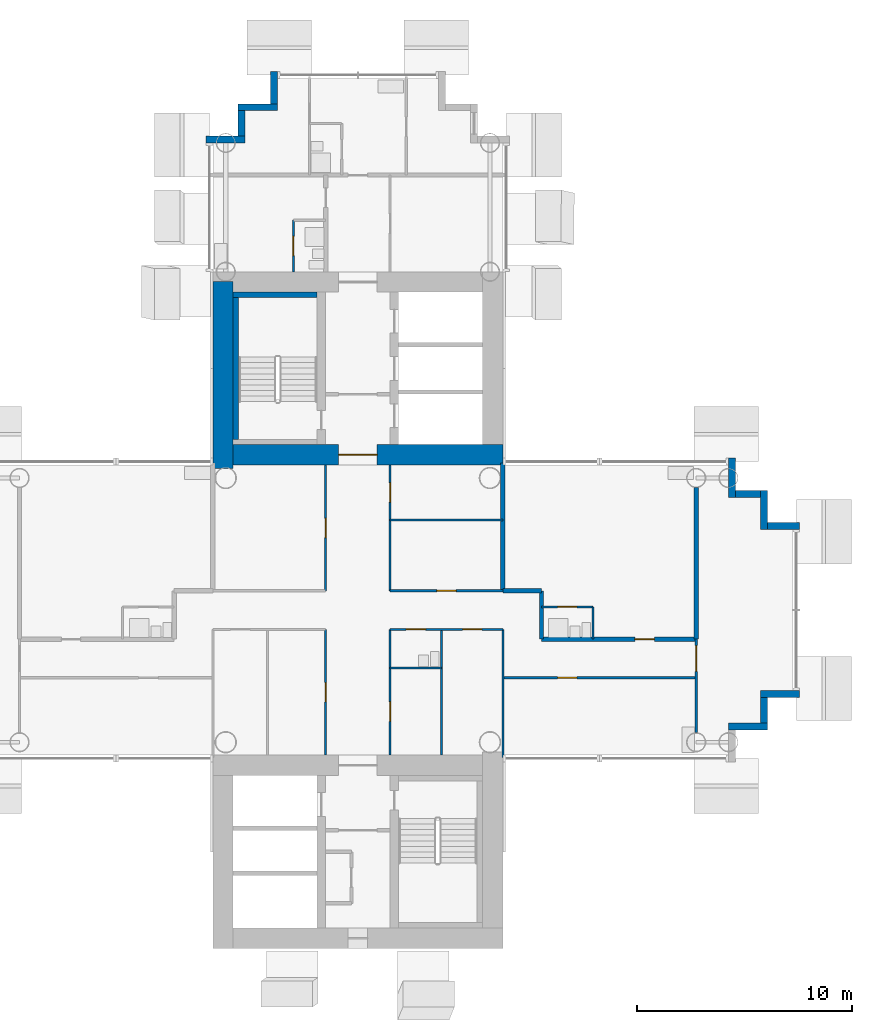
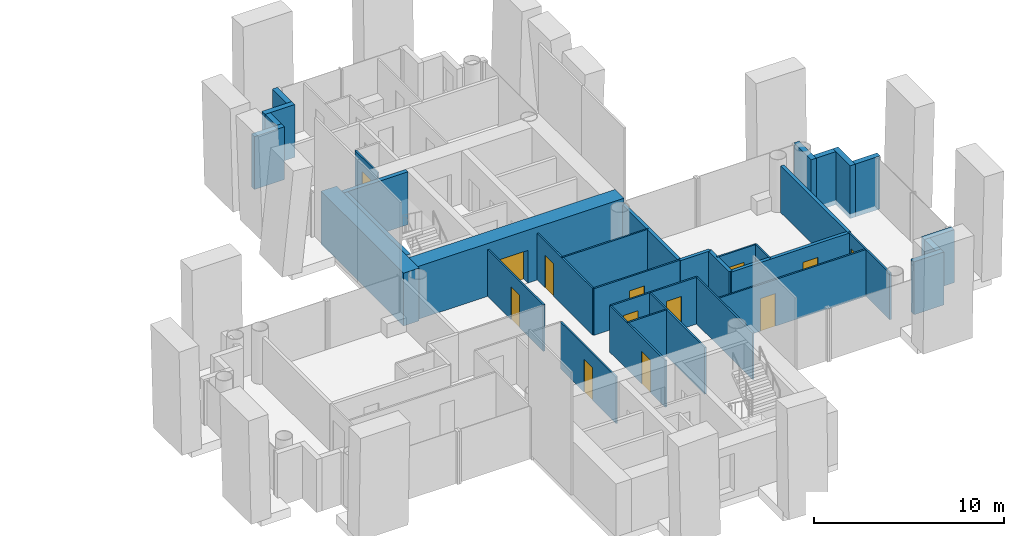
# One storey, part 12 of 20: 35 walls, 13 doors, 13 openings.
"""IFC4 building model written with IfcOpenShell, lengths in metres."""

from ifc_helpers import new_model, si_unit, direction, frame, frame_2d, origin, place, context, subcontext, project, spatial, rectangle, extrude, material, layer, layer_set, type_object, element, fill, save


model = new_model("IFC4")

# Units and contexts
model_context = context("Model", 3, precision=1e-05, world=origin(), true_north=direction((0.0, 1.0)))
body_context = subcontext(model_context, "Body", "Model", "MODEL_VIEW")
ifc_project = project(units=[si_unit("LENGTHUNIT", "METRE"), si_unit("AREAUNIT", "SQUARE_METRE"), si_unit("VOLUMEUNIT", "CUBIC_METRE"), si_unit("PLANEANGLEUNIT", "RADIAN"), si_unit("MASSUNIT", "GRAM", prefix="KILO")], contexts=[model_context])

# Site, building, storey
site_placement = place(None, origin())
site = spatial("IfcSite", under=ifc_project, at=site_placement, CompositionType="ELEMENT")
building_placement = place(site_placement, origin())
building = spatial("IfcBuilding", under=site, at=building_placement, Name="Ipe Terrace Towers", CompositionType="ELEMENT")
storey_placement = place(building_placement, frame((0.0, 0.0, 120.800048828125)))
storey = spatial("IfcBuildingStorey", under=building, at=storey_placement, Name="L33", CompositionType="ELEMENT", Elevation=120.800048828125)

# Walls
ifc_material_1 = material(Name="Concrete C40/50 with buff precast cladding", Category="concrete")
ifc_layer_1 = layer(ifc_material_1, 0.320068359375)
ifc_layer_set_1 = layer_set([ifc_layer_1], Name="BUFF CLADDING WALL 320")
wall_type_1 = type_object("IfcWallType", Name="BUFF CLADDING WALL 320", PredefinedType="STANDARD", material=ifc_layer_set_1)
wall_1_placement = place(storey_placement, frame((53.25, -5.409912109375, -0.300048828125), z_axis=(0.0, 0.0, 1.0), x_axis=(1.0, 0.0, 0.0)))
element("IfcWall", 1, at=wall_1_placement, inside=storey, type_object=wall_type_1, Name="T2-W-L33-05a wall", PredefinedType="STANDARD", context=body_context, shape_type="SweptSolid", body=[
    extrude(rectangle(XDim=1.820068359375, YDim=0.320068359375, at=frame_2d((0.91015625, 0.0))), origin(), (0.0, 0.0, 1.0), 3.39990234375),
])
wall_2_placement = place(storey_placement, frame((54.909912109375, -5.25, -0.300048828125), z_axis=(0.0, 0.0, 1.0), x_axis=(0.0, 1.0, 0.0)))
element("IfcWall", 2, at=wall_2_placement, inside=storey, type_object=wall_type_1, Name="T2-W-L33-06a wall", PredefinedType="STANDARD", context=body_context, shape_type="SweptSolid", body=[
    extrude(rectangle(XDim=1.179931640625, YDim=0.320068359375, at=frame_2d((0.58984375, 0.0))), origin(), (0.0, 0.0, 1.0), 3.39990234375),
])
wall_3_placement = place(storey_placement, frame((54.75, -3.909912109375, -0.300048828125), z_axis=(0.0, 0.0, 1.0), x_axis=(1.0, 0.0, 0.0)))
element("IfcWall", 3, at=wall_3_placement, inside=storey, type_object=wall_type_1, Name="T2-W-L33-07a wall", PredefinedType="STANDARD", context=body_context, shape_type="SweptSolid", body=[
    extrude(rectangle(XDim=1.820068359375, YDim=0.320068359375, at=frame_2d((0.91015625, 0.0))), origin(), (0.0, 0.0, 1.0), 3.39990234375),
])
wall_4_placement = place(storey_placement, frame((56.570068359375, 3.909912109375, -0.300048828125), z_axis=(0.0, 0.0, 1.0), x_axis=(-1.0, 0.0, 0.0)))
element("IfcWall", 4, at=wall_4_placement, inside=storey, type_object=wall_type_1, Name="T2-W-L33-09a wall", PredefinedType="STANDARD", context=body_context, shape_type="SweptSolid", body=[
    extrude(rectangle(XDim=1.5, YDim=0.320068359375, at=frame_2d((0.75, 0.0))), origin(), (0.0, 0.0, 1.0), 3.39990234375),
])
wall_5_placement = place(storey_placement, frame((54.909912109375, 3.75, -0.300048828125), z_axis=(0.0, 0.0, 1.0), x_axis=(0.0, 1.0, 0.0)))
element("IfcWall", 5, at=wall_5_placement, inside=storey, type_object=wall_type_1, Name="T2-W-L33-10a wall", PredefinedType="STANDARD", context=body_context, shape_type="SweptSolid", body=[
    extrude(rectangle(XDim=1.820068359375, YDim=0.320068359375, at=frame_2d((0.91015625, 0.0))), origin(), (0.0, 0.0, 1.0), 3.39990234375),
])
wall_6_placement = place(storey_placement, frame((54.75, 5.409912109375, -0.300048828125), z_axis=(0.0, 0.0, 1.0), x_axis=(-1.0, 0.0, 0.0)))
element("IfcWall", 6, at=wall_6_placement, inside=storey, type_object=wall_type_1, Name="T2-W-L33-11a wall", PredefinedType="STANDARD", context=body_context, shape_type="SweptSolid", body=[
    extrude(rectangle(XDim=1.179931640625, YDim=0.320068359375, at=frame_2d((0.58984375, 0.0))), origin(), (0.0, 0.0, 1.0), 3.39990234375),
])
wall_7_placement = place(storey_placement, frame((53.409912109375, 5.25, -0.300048828125), z_axis=(0.0, 0.0, 1.0), x_axis=(0.0, 1.0, 0.0)))
element("IfcWall", 7, at=wall_7_placement, inside=storey, type_object=wall_type_1, Name="T2-W-L33-12a wall", PredefinedType="STANDARD", context=body_context, shape_type="SweptSolid", body=[
    extrude(rectangle(XDim=1.820068359375, YDim=0.320068359375, at=frame_2d((0.91015625, 0.0))), origin(), (0.0, 0.0, 1.0), 3.39990234375),
])
wall_8_placement = place(storey_placement, frame((32.090087890625, 25.070068359375, -0.300048828125), z_axis=(0.0, 0.0, 1.0), x_axis=(0.0, -1.0, 0.0)))
element("IfcWall", 8, at=wall_8_placement, inside=storey, type_object=wall_type_1, Name="T2-W-L33-22a wall", PredefinedType="STANDARD", context=body_context, shape_type="SweptSolid", body=[
    extrude(rectangle(XDim=1.5, YDim=0.320068359375, at=frame_2d((0.75, 0.0))), origin(), (0.0, 0.0, 1.0), 3.39990234375),
])
wall_9_placement = place(storey_placement, frame((32.25, 23.409912109375, -0.300048828125), z_axis=(0.0, 0.0, 1.0), x_axis=(-1.0, 0.0, 0.0)))
element("IfcWall", 9, at=wall_9_placement, inside=storey, type_object=wall_type_1, Name="T2-W-L33-23a wall", PredefinedType="STANDARD", context=body_context, shape_type="SweptSolid", body=[
    extrude(rectangle(XDim=1.820068359375, YDim=0.320068359375, at=frame_2d((0.91015625, 0.0))), origin(), (0.0, 0.0, 1.0), 3.39990234375),
])
wall_10_placement = place(storey_placement, frame((30.590087890625, 23.25, -0.300048828125), z_axis=(0.0, 0.0, 1.0), x_axis=(0.0, -1.0, 0.0)))
element("IfcWall", 10, at=wall_10_placement, inside=storey, type_object=wall_type_1, Name="T2-W-L33-24a wall", PredefinedType="STANDARD", context=body_context, shape_type="SweptSolid", body=[
    extrude(rectangle(XDim=1.179931640625, YDim=0.320068359375, at=frame_2d((0.58984375, 0.0))), origin(), (0.0, 0.0, 1.0), 3.39990234375),
])
wall_11_placement = place(storey_placement, frame((30.75, 21.909912109375, -0.300048828125), z_axis=(0.0, 0.0, 1.0), x_axis=(-1.0, 0.0, 0.0)))
element("IfcWall", 11, at=wall_11_placement, inside=storey, type_object=wall_type_1, Name="T2-W-L33-25a wall", PredefinedType="STANDARD", context=body_context, shape_type="SweptSolid", body=[
    extrude(rectangle(XDim=1.820068359375, YDim=0.320068359375, at=frame_2d((0.91015625, 0.0))), origin(), (0.0, 0.0, 1.0), 3.39990234375),
])

# Wall, opening, door
ifc_material_2 = material(Name="Gypsum board partition", Category="plasterboard")
ifc_layer_2 = layer(ifc_material_2, 0.10009765625)
ifc_layer_set_2 = layer_set([ifc_layer_2], Name="Gypsum board partition 100 mm")
wall_type_2 = type_object("IfcWallType", Name="Gypsum board partition 100 mm", PredefinedType="PARTITIONING", material=ifc_layer_set_2)
wall_12_placement = place(storey_placement, frame((51.75, -3.14990234375, 0.0), z_axis=(0.0, 0.0, 1.0), x_axis=(-1.0, 0.0, 0.0)))
wall_12 = element("IfcWall", 12, at=wall_12_placement, inside=storey, type_object=wall_type_2, Name="Gypsum board partition T2 L33 W01", PredefinedType="PARTITIONING", context=body_context, shape_type="SweptSolid", body=[
    extrude(rectangle(XDim=9.0, YDim=0.10009765625, at=frame_2d((4.5, 0.0))), origin(), (0.0, 0.0, 1.0), 3.0),
])
opening_1_placement = place(wall_12_placement, frame((5.550048828125, 0.0, 0.0)))
opening_1 = element("IfcOpeningElement", 13, at=opening_1_placement, cuts=wall_12, Name="Opening T2-Z2D-15", PredefinedType="OPENING", context=body_context, shape_type="SweptSolid", body=[
    extrude(rectangle(XDim=0.89990234375, YDim=2.10009765625, at=frame_2d((0.449951171875, 1.050048828125))), frame((0.0, 0.06005859375, 0.0), z_axis=(0.0, -1.0, 0.0), x_axis=(1.0, 0.0, 0.0)), (0.0, 0.0, 1.0), 0.1201171875),
])
ifc_material_3 = material(Name="Timber door leaf", Category="wood")
door_type_1 = type_object("IfcDoorType", Name="Lounge door 900 x 2100", OperationType="NOTDEFINED", PredefinedType="DOOR", material=ifc_material_3)
door_1_placement = place(opening_1_placement, origin())
door_1 = element("IfcDoor", 14, at=door_1_placement, inside=storey, type_object=door_type_1, Name="Lounge door T2-Z2D-15", OperationType="SINGLE_SWING_LEFT", OverallHeight=2.10009765625, OverallWidth=0.89990234375, PredefinedType="DOOR", context=body_context, shape_type="SweptSolid", body=[
    extrude(rectangle(XDim=0.89990234375, YDim=2.10009765625, at=frame_2d((0.449951171875, 1.050048828125))), frame((0.0, 0.02490234375, 0.0), z_axis=(0.0, -1.0, 0.0), x_axis=(1.0, 0.0, 0.0)), (0.0, 0.0, 1.0), 0.050048828125),
])
fill(opening_1, door_1)

# Wall
wall_13_placement = place(storey_placement, frame((39.89990234375, -2.699951171875, 0.0), z_axis=(0.0, 0.0, 1.0), x_axis=(-1.0, 0.0, 0.0)))
element("IfcWall", 15, at=wall_13_placement, inside=storey, type_object=wall_type_2, Name="Gypsum board partition T2 L33 W03", PredefinedType="PARTITIONING", context=body_context, shape_type="SweptSolid", body=[
    extrude(rectangle(XDim=2.39990234375, YDim=0.10009765625, at=frame_2d((1.199951171875, 0.0))), origin(), (0.0, 0.0, 1.0), 3.0),
])

# Wall, openings, doors
wall_14_placement = place(storey_placement, frame((42.75, -0.89990234375, 0.0), z_axis=(0.0, 0.0, 1.0), x_axis=(-1.0, 0.0, 0.0)))
wall_14 = element("IfcWall", 16, at=wall_14_placement, inside=storey, type_object=wall_type_2, Name="Gypsum board partition T2 L33 W06", PredefinedType="PARTITIONING", context=body_context, shape_type="SweptSolid", body=[
    extrude(rectangle(XDim=5.25, YDim=0.10009765625, at=frame_2d((2.625, 0.0))), origin(), (0.0, 0.0, 1.0), 3.0),
])
opening_2_placement = place(wall_14_placement, frame((3.60009765625, 0.0, 0.0)))
opening_2 = element("IfcOpeningElement", 17, at=opening_2_placement, cuts=wall_14, Name="Opening T2-Z2D-01", PredefinedType="OPENING", context=body_context, shape_type="SweptSolid", body=[
    extrude(rectangle(XDim=0.89990234375, YDim=2.10009765625, at=frame_2d((0.449951171875, 1.050048828125))), frame((0.0, 0.06005859375, 0.0), z_axis=(0.0, -1.0, 0.0), x_axis=(1.0, 0.0, 0.0)), (0.0, 0.0, 1.0), 0.1201171875),
])
opening_3_placement = place(wall_14_placement, frame((0.97509765625, 0.0, 0.0)))
opening_3 = element("IfcOpeningElement", 18, at=opening_3_placement, cuts=wall_14, Name="Opening T2-Z2D-06", PredefinedType="OPENING", context=body_context, shape_type="SweptSolid", body=[
    extrude(rectangle(XDim=0.89990234375, YDim=2.10009765625, at=frame_2d((0.449951171875, 1.050048828125))), frame((0.0, 0.06005859375, 0.0), z_axis=(0.0, -1.0, 0.0), x_axis=(1.0, 0.0, 0.0)), (0.0, 0.0, 1.0), 0.1201171875),
])
ifc_material_4 = material(Name="Timber door leaf", Category="wood")
door_type_2 = type_object("IfcDoorType", Name="Bathroom door 900 x 2100", OperationType="NOTDEFINED", PredefinedType="DOOR", material=ifc_material_4)
door_2_placement = place(opening_2_placement, origin())
door_2 = element("IfcDoor", 19, at=door_2_placement, inside=storey, type_object=door_type_2, Name="Bathroom door T2-Z2D-01", OperationType="SINGLE_SWING_LEFT", OverallHeight=2.10009765625, OverallWidth=0.89990234375, PredefinedType="DOOR", context=body_context, shape_type="SweptSolid", body=[
    extrude(rectangle(XDim=0.89990234375, YDim=2.10009765625, at=frame_2d((0.449951171875, 1.050048828125))), frame((0.0, 0.02490234375, 0.0), z_axis=(0.0, -1.0, 0.0), x_axis=(1.0, 0.0, 0.0)), (0.0, 0.0, 1.0), 0.050048828125),
])
fill(opening_2, door_2)
door_3_placement = place(opening_3_placement, origin())
door_3 = element("IfcDoor", 20, at=door_3_placement, inside=storey, type_object=door_type_1, Name="Lounge door T2-Z2D-06", OperationType="SINGLE_SWING_RIGHT", OverallHeight=2.10009765625, OverallWidth=0.89990234375, PredefinedType="DOOR", context=body_context, shape_type="SweptSolid", body=[
    extrude(rectangle(XDim=0.89990234375, YDim=2.10009765625, at=frame_2d((0.449951171875, 1.050048828125))), frame((0.0, 0.02490234375, 0.0), z_axis=(0.0, -1.0, 0.0), x_axis=(1.0, 0.0, 0.0)), (0.0, 0.0, 1.0), 0.050048828125),
])
fill(opening_3, door_3)

# Wall, opening, door
wall_15_placement = place(storey_placement, frame((46.949951171875, 0.14990234375, 0.0), z_axis=(0.0, 0.0, 1.0), x_axis=(-1.0, 0.0, 0.0)))
wall_15 = element("IfcWall", 21, at=wall_15_placement, inside=storey, type_object=wall_type_2, Name="Gypsum board partition T2 L33 W08", PredefinedType="PARTITIONING", context=body_context, shape_type="SweptSolid", body=[
    extrude(rectangle(XDim=2.39990234375, YDim=0.10009765625, at=frame_2d((1.199951171875, 0.0))), origin(), (0.0, 0.0, 1.0), 3.0),
])
opening_4_placement = place(wall_15_placement, frame((0.75, 0.0, 0.0)))
opening_4 = element("IfcOpeningElement", 22, at=opening_4_placement, cuts=wall_15, Name="Opening T2-Z2D-14", PredefinedType="OPENING", context=body_context, shape_type="SweptSolid", body=[
    extrude(rectangle(XDim=0.89990234375, YDim=2.10009765625, at=frame_2d((0.449951171875, 1.050048828125))), frame((0.0, 0.06005859375, 0.0), z_axis=(0.0, -1.0, 0.0), x_axis=(1.0, 0.0, 0.0)), (0.0, 0.0, 1.0), 0.1201171875),
])
door_4_placement = place(opening_4_placement, origin())
door_4 = element("IfcDoor", 23, at=door_4_placement, inside=storey, type_object=door_type_2, Name="Bathroom door T2-Z2D-14", OperationType="SINGLE_SWING_LEFT", OverallHeight=2.10009765625, OverallWidth=0.89990234375, PredefinedType="DOOR", context=body_context, shape_type="SweptSolid", body=[
    extrude(rectangle(XDim=0.89990234375, YDim=2.10009765625, at=frame_2d((0.449951171875, 1.050048828125))), frame((0.0, 0.02490234375, 0.0), z_axis=(0.0, -1.0, 0.0), x_axis=(1.0, 0.0, 0.0)), (0.0, 0.0, 1.0), 0.050048828125),
])
fill(opening_4, door_4)

wall_16_placement = place(storey_placement, frame((42.75, 0.89990234375, 0.0), z_axis=(0.0, 0.0, 1.0), x_axis=(-1.0, 0.0, 0.0)))
wall_16 = element("IfcWall", 24, at=wall_16_placement, inside=storey, type_object=wall_type_2, Name="Gypsum board partition T2 L33 W10", PredefinedType="PARTITIONING", context=body_context, shape_type="SweptSolid", body=[
    extrude(rectangle(XDim=5.25, YDim=0.10009765625, at=frame_2d((2.625, 0.0))), origin(), (0.0, 0.0, 1.0), 3.0),
])
opening_5_placement = place(wall_16_placement, frame((2.175048828125, 0.0, 0.0)))
opening_5 = element("IfcOpeningElement", 25, at=opening_5_placement, cuts=wall_16, Name="Opening T2-Z2D-07", PredefinedType="OPENING", context=body_context, shape_type="SweptSolid", body=[
    extrude(rectangle(XDim=0.89990234375, YDim=2.10009765625, at=frame_2d((0.449951171875, 1.050048828125))), frame((0.0, 0.06005859375, 0.0), z_axis=(0.0, -1.0, 0.0), x_axis=(1.0, 0.0, 0.0)), (0.0, 0.0, 1.0), 0.1201171875),
])
door_5_placement = place(opening_5_placement, origin())
door_5 = element("IfcDoor", 26, at=door_5_placement, inside=storey, type_object=door_type_1, Name="Lounge door T2-Z2D-07", OperationType="SINGLE_SWING_RIGHT", OverallHeight=2.10009765625, OverallWidth=0.89990234375, PredefinedType="DOOR", context=body_context, shape_type="SweptSolid", body=[
    extrude(rectangle(XDim=0.89990234375, YDim=2.10009765625, at=frame_2d((0.449951171875, 1.050048828125))), frame((0.0, 0.02490234375, 0.0), z_axis=(0.0, -1.0, 0.0), x_axis=(1.0, 0.0, 0.0)), (0.0, 0.0, 1.0), 0.050048828125),
])
fill(opening_5, door_5)

# Wall
wall_17_placement = place(storey_placement, frame((42.75, 4.199951171875, 0.0), z_axis=(0.0, 0.0, 1.0), x_axis=(-1.0, 0.0, 0.0)))
element("IfcWall", 27, at=wall_17_placement, inside=storey, type_object=wall_type_2, Name="Gypsum board partition T2 L33 W14", PredefinedType="PARTITIONING", context=body_context, shape_type="SweptSolid", body=[
    extrude(rectangle(XDim=5.25, YDim=0.10009765625, at=frame_2d((2.625, 0.0))), origin(), (0.0, 0.0, 1.0), 3.0),
])

# Wall, opening, door
wall_18_placement = place(storey_placement, frame((51.75, -5.699951171875, 0.0), z_axis=(0.0, 0.0, 1.0), x_axis=(0.0, 1.0, 0.0)))
wall_18 = element("IfcWall", 28, at=wall_18_placement, inside=storey, type_object=wall_type_2, Name="Gypsum board partition T2 L33 W18", PredefinedType="PARTITIONING", context=body_context, shape_type="SweptSolid", body=[
    extrude(rectangle(XDim=4.349853515625, YDim=0.10009765625, at=frame_2d((2.1748046875, 0.0))), origin(), (0.0, 0.0, 1.0), 3.0),
])
opening_6_placement = place(wall_18_placement, frame((2.85009765625, 0.0, 0.0)))
opening_6 = element("IfcOpeningElement", 29, at=opening_6_placement, cuts=wall_18, Name="Opening T2-Z2D-16", PredefinedType="OPENING", context=body_context, shape_type="SweptSolid", body=[
    extrude(rectangle(XDim=1.199951171875, YDim=2.10009765625, at=frame_2d((0.60009765625, 1.050048828125))), frame((0.0, 0.06005859375, 0.0), z_axis=(0.0, -1.0, 0.0), x_axis=(1.0, 0.0, 0.0)), (0.0, 0.0, 1.0), 0.1201171875),
])
ifc_material_5 = material(Name="Timber door leaf", Category="wood")
door_type_3 = type_object("IfcDoorType", Name="Lounge door 1200 x 2100", OperationType="NOTDEFINED", PredefinedType="DOOR", material=ifc_material_5)
door_6_placement = place(opening_6_placement, origin())
door_6 = element("IfcDoor", 30, at=door_6_placement, inside=storey, type_object=door_type_3, Name="Lounge door T2-Z2D-16", OperationType="SINGLE_SWING_RIGHT", OverallHeight=2.10009765625, OverallWidth=1.199951171875, PredefinedType="DOOR", context=body_context, shape_type="SweptSolid", body=[
    extrude(rectangle(XDim=1.199951171875, YDim=2.10009765625, at=frame_2d((0.60009765625, 1.050048828125))), frame((0.0, 0.02490234375, 0.0), z_axis=(0.0, -1.0, 0.0), x_axis=(1.0, 0.0, 0.0)), (0.0, 0.0, 1.0), 0.050048828125),
])
fill(opening_6, door_6)

# Walls
wall_19_placement = place(storey_placement, frame((46.949951171875, -1.35009765625, 0.0), z_axis=(0.0, 0.0, 1.0), x_axis=(0.0, 1.0, 0.0)))
element("IfcWall", 31, at=wall_19_placement, inside=storey, type_object=wall_type_2, Name="Gypsum board partition T2 L33 W20", PredefinedType="PARTITIONING", context=body_context, shape_type="SweptSolid", body=[
    extrude(rectangle(XDim=1.5, YDim=0.10009765625, at=frame_2d((0.75, 0.0))), origin(), (0.0, 0.0, 1.0), 3.0),
])
wall_20_placement = place(storey_placement, frame((42.75, -6.85009765625, 0.0), z_axis=(0.0, 0.0, 1.0), x_axis=(0.0, 1.0, 0.0)))
element("IfcWall", 32, at=wall_20_placement, inside=storey, type_object=wall_type_2, Name="Gypsum board partition T2 L33 W22", PredefinedType="PARTITIONING", context=body_context, shape_type="SweptSolid", body=[
    extrude(rectangle(XDim=5.9501953125, YDim=0.10009765625, at=frame_2d((2.97509765625, 0.0))), origin(), (0.0, 0.0, 1.0), 3.0),
])
wall_21_placement = place(storey_placement, frame((39.89990234375, -6.75, 0.0), z_axis=(0.0, 0.0, 1.0), x_axis=(0.0, 1.0, 0.0)))
element("IfcWall", 33, at=wall_21_placement, inside=storey, type_object=wall_type_2, Name="Gypsum board partition T2 L33 W24", PredefinedType="PARTITIONING", context=body_context, shape_type="SweptSolid", body=[
    extrude(rectangle(XDim=5.85009765625, YDim=0.10009765625, at=frame_2d((2.925048828125, 0.0))), origin(), (0.0, 0.0, 1.0), 3.0),
])

# Wall, opening, door
wall_22_placement = place(storey_placement, frame((37.5, -6.75, 0.0), z_axis=(0.0, 0.0, 1.0), x_axis=(0.0, 1.0, 0.0)))
wall_22 = element("IfcWall", 34, at=wall_22_placement, inside=storey, type_object=wall_type_2, Name="Gypsum board partition T2 L33 W26", PredefinedType="PARTITIONING", context=body_context, shape_type="SweptSolid", body=[
    extrude(rectangle(XDim=5.85009765625, YDim=0.10009765625, at=frame_2d((2.925048828125, 0.0))), origin(), (0.0, 0.0, 1.0), 3.0),
])
opening_7_placement = place(wall_22_placement, frame((1.574951171875, 0.0, 0.0)))
opening_7 = element("IfcOpeningElement", 35, at=opening_7_placement, cuts=wall_22, Name="Opening T2-Z2D-05", PredefinedType="OPENING", context=body_context, shape_type="SweptSolid", body=[
    extrude(rectangle(XDim=0.89990234375, YDim=2.10009765625, at=frame_2d((0.449951171875, 1.050048828125))), frame((0.0, 0.06005859375, 0.0), z_axis=(0.0, -1.0, 0.0), x_axis=(1.0, 0.0, 0.0)), (0.0, 0.0, 1.0), 0.1201171875),
])
door_7_placement = place(opening_7_placement, origin())
door_7 = element("IfcDoor", 36, at=door_7_placement, inside=storey, type_object=door_type_1, Name="Lounge door T2-Z2D-05", OperationType="SINGLE_SWING_LEFT", OverallHeight=2.10009765625, OverallWidth=0.89990234375, PredefinedType="DOOR", context=body_context, shape_type="SweptSolid", body=[
    extrude(rectangle(XDim=0.89990234375, YDim=2.10009765625, at=frame_2d((0.449951171875, 1.050048828125))), frame((0.0, 0.02490234375, 0.0), z_axis=(0.0, -1.0, 0.0), x_axis=(1.0, 0.0, 0.0)), (0.0, 0.0, 1.0), 0.050048828125),
])
fill(opening_7, door_7)

wall_23_placement = place(storey_placement, frame((37.5, 0.89990234375, 0.0), z_axis=(0.0, 0.0, 1.0), x_axis=(0.0, 1.0, 0.0)))
wall_23 = element("IfcWall", 37, at=wall_23_placement, inside=storey, type_object=wall_type_2, Name="Gypsum board partition T2 L33 W27", PredefinedType="PARTITIONING", context=body_context, shape_type="SweptSolid", body=[
    extrude(rectangle(XDim=5.85009765625, YDim=0.10009765625, at=frame_2d((2.925048828125, 0.0))), origin(), (0.0, 0.0, 1.0), 3.0),
])
opening_8_placement = place(wall_23_placement, frame((4.125, 0.0, 0.0)))
opening_8 = element("IfcOpeningElement", 38, at=opening_8_placement, cuts=wall_23, Name="Opening T2-Z2D-08", PredefinedType="OPENING", context=body_context, shape_type="SweptSolid", body=[
    extrude(rectangle(XDim=0.89990234375, YDim=2.10009765625, at=frame_2d((0.449951171875, 1.050048828125))), frame((0.0, 0.06005859375, 0.0), z_axis=(0.0, -1.0, 0.0), x_axis=(1.0, 0.0, 0.0)), (0.0, 0.0, 1.0), 0.1201171875),
])
door_8_placement = place(opening_8_placement, origin())
door_8 = element("IfcDoor", 39, at=door_8_placement, inside=storey, type_object=door_type_1, Name="Lounge door T2-Z2D-08", OperationType="SINGLE_SWING_RIGHT", OverallHeight=2.10009765625, OverallWidth=0.89990234375, PredefinedType="DOOR", context=body_context, shape_type="SweptSolid", body=[
    extrude(rectangle(XDim=0.89990234375, YDim=2.10009765625, at=frame_2d((0.449951171875, 1.050048828125))), frame((0.0, 0.02490234375, 0.0), z_axis=(0.0, -1.0, 0.0), x_axis=(1.0, 0.0, 0.0)), (0.0, 0.0, 1.0), 0.050048828125),
])
fill(opening_8, door_8)

wall_24_placement = place(storey_placement, frame((34.5, -6.75, 0.0), z_axis=(0.0, 0.0, 1.0), x_axis=(0.0, 1.0, 0.0)))
wall_24 = element("IfcWall", 40, at=wall_24_placement, inside=storey, type_object=wall_type_2, Name="Gypsum board partition T2 L33 W30", PredefinedType="PARTITIONING", context=body_context, shape_type="SweptSolid", body=[
    extrude(rectangle(XDim=5.85009765625, YDim=0.10009765625, at=frame_2d((2.925048828125, 0.0))), origin(), (0.0, 0.0, 1.0), 3.0),
])
opening_9_placement = place(wall_24_placement, frame((2.47509765625, 0.0, 0.0)))
opening_9 = element("IfcOpeningElement", 41, at=opening_9_placement, cuts=wall_24, Name="Opening T2-Z2D-03", PredefinedType="OPENING", context=body_context, shape_type="SweptSolid", body=[
    extrude(rectangle(XDim=0.89990234375, YDim=2.10009765625, at=frame_2d((0.449951171875, 1.050048828125))), frame((0.0, 0.06005859375, 0.0), z_axis=(0.0, -1.0, 0.0), x_axis=(1.0, 0.0, 0.0)), (0.0, 0.0, 1.0), 0.1201171875),
])
door_9_placement = place(opening_9_placement, origin())
door_9 = element("IfcDoor", 42, at=door_9_placement, inside=storey, type_object=door_type_1, Name="Lounge door T2-Z2D-03", OperationType="SINGLE_SWING_RIGHT", OverallHeight=2.10009765625, OverallWidth=0.89990234375, PredefinedType="DOOR", context=body_context, shape_type="SweptSolid", body=[
    extrude(rectangle(XDim=0.89990234375, YDim=2.10009765625, at=frame_2d((0.449951171875, 1.050048828125))), frame((0.0, 0.02490234375, 0.0), z_axis=(0.0, -1.0, 0.0), x_axis=(1.0, 0.0, 0.0)), (0.0, 0.0, 1.0), 0.050048828125),
])
fill(opening_9, door_9)

wall_25_placement = place(storey_placement, frame((34.5, 0.89990234375, 0.0), z_axis=(0.0, 0.0, 1.0), x_axis=(0.0, 1.0, 0.0)))
wall_25 = element("IfcWall", 43, at=wall_25_placement, inside=storey, type_object=wall_type_2, Name="Gypsum board partition T2 L33 W31", PredefinedType="PARTITIONING", context=body_context, shape_type="SweptSolid", body=[
    extrude(rectangle(XDim=5.85009765625, YDim=0.10009765625, at=frame_2d((2.925048828125, 0.0))), origin(), (0.0, 0.0, 1.0), 3.0),
])
opening_10_placement = place(wall_25_placement, frame((2.47509765625, 0.0, 0.0)))
opening_10 = element("IfcOpeningElement", 44, at=opening_10_placement, cuts=wall_25, Name="Opening T2-Z2D-02", PredefinedType="OPENING", context=body_context, shape_type="SweptSolid", body=[
    extrude(rectangle(XDim=0.89990234375, YDim=2.10009765625, at=frame_2d((0.449951171875, 1.050048828125))), frame((0.0, 0.06005859375, 0.0), z_axis=(0.0, -1.0, 0.0), x_axis=(1.0, 0.0, 0.0)), (0.0, 0.0, 1.0), 0.1201171875),
])
door_10_placement = place(opening_10_placement, origin())
door_10 = element("IfcDoor", 45, at=door_10_placement, inside=storey, type_object=door_type_1, Name="Lounge door T2-Z2D-02", OperationType="SINGLE_SWING_LEFT", OverallHeight=2.10009765625, OverallWidth=0.89990234375, PredefinedType="DOOR", context=body_context, shape_type="SweptSolid", body=[
    extrude(rectangle(XDim=0.89990234375, YDim=2.10009765625, at=frame_2d((0.449951171875, 1.050048828125))), frame((0.0, 0.02490234375, 0.0), z_axis=(0.0, -1.0, 0.0), x_axis=(1.0, 0.0, 0.0)), (0.0, 0.0, 1.0), 0.050048828125),
])
fill(opening_10, door_10)

wall_26_placement = place(storey_placement, frame((33.0, 15.75, 0.0), z_axis=(0.0, 0.0, 1.0), x_axis=(0.0, 1.0, 0.0)))
wall_26 = element("IfcWall", 46, at=wall_26_placement, inside=storey, type_object=wall_type_2, Name="Gypsum board partition T2 L33 W34", PredefinedType="PARTITIONING", context=body_context, shape_type="SweptSolid", body=[
    extrude(rectangle(XDim=2.39990234375, YDim=0.10009765625, at=frame_2d((1.199951171875, 0.0))), origin(), (0.0, 0.0, 1.0), 3.0),
])
opening_11_placement = place(wall_26_placement, frame((0.75, 0.0, 0.0)))
opening_11 = element("IfcOpeningElement", 47, at=opening_11_placement, cuts=wall_26, Name="Opening T2-Z2D-18", PredefinedType="OPENING", context=body_context, shape_type="SweptSolid", body=[
    extrude(rectangle(XDim=0.89990234375, YDim=2.10009765625, at=frame_2d((0.449951171875, 1.050048828125))), frame((0.0, 0.06005859375, 0.0), z_axis=(0.0, -1.0, 0.0), x_axis=(1.0, 0.0, 0.0)), (0.0, 0.0, 1.0), 0.1201171875),
])
door_11_placement = place(opening_11_placement, origin())
door_11 = element("IfcDoor", 48, at=door_11_placement, inside=storey, type_object=door_type_2, Name="Bathroom door T2-Z2D-18", OperationType="SINGLE_SWING_RIGHT", OverallHeight=2.10009765625, OverallWidth=0.89990234375, PredefinedType="DOOR", context=body_context, shape_type="SweptSolid", body=[
    extrude(rectangle(XDim=0.89990234375, YDim=2.10009765625, at=frame_2d((0.449951171875, 1.050048828125))), frame((0.0, 0.02490234375, 0.0), z_axis=(0.0, -1.0, 0.0), x_axis=(1.0, 0.0, 0.0)), (0.0, 0.0, 1.0), 0.050048828125),
])
fill(opening_11, door_11)

ifc_material_6 = material(Name="Gypsum board party wall", Category="plasterboard")
ifc_layer_3 = layer(ifc_material_6, 0.199951171875)
ifc_layer_set_3 = layer_set([ifc_layer_3], Name="Gypsum board party wall 200 mm")
wall_type_3 = type_object("IfcWallType", Name="Gypsum board party wall 200 mm", PredefinedType="SOLIDWALL", material=ifc_layer_set_3)
wall_27_placement = place(storey_placement, frame((51.75, -1.35009765625, 0.0), z_axis=(0.0, 0.0, 1.0), x_axis=(-1.0, 0.0, 0.0)))
wall_27 = element("IfcWall", 49, at=wall_27_placement, inside=storey, type_object=wall_type_3, Name="Gypsum board party wall T2 L33 W04", PredefinedType="SOLIDWALL", context=body_context, shape_type="SweptSolid", body=[
    extrude(rectangle(XDim=7.199951171875, YDim=0.199951171875, at=frame_2d((3.60009765625, 0.0))), origin(), (0.0, 0.0, 1.0), 3.0),
])
opening_12_placement = place(wall_27_placement, frame((1.949951171875, 0.0, 0.0)))
opening_12 = element("IfcOpeningElement", 50, at=opening_12_placement, cuts=wall_27, Name="Opening T2-Z2D-13", PredefinedType="OPENING", context=body_context, shape_type="SweptSolid", body=[
    extrude(rectangle(XDim=0.89990234375, YDim=2.10009765625, at=frame_2d((0.449951171875, 1.050048828125))), frame((0.0, 0.10986328125, 0.0), z_axis=(0.0, -1.0, 0.0), x_axis=(1.0, 0.0, 0.0)), (0.0, 0.0, 1.0), 0.219970703125),
])
ifc_material_7 = material(Name="Fire-rated timber door leaf", Category="wood")
door_type_4 = type_object("IfcDoorType", Name="Flat entrance door 900 x 2100 FD30S", OperationType="NOTDEFINED", PredefinedType="DOOR", material=ifc_material_7)
door_12_placement = place(opening_12_placement, origin())
door_12 = element("IfcDoor", 51, at=door_12_placement, inside=storey, type_object=door_type_4, Name="Flat entrance door T2-Z2D-13", OperationType="SINGLE_SWING_LEFT", OverallHeight=2.10009765625, OverallWidth=0.89990234375, PredefinedType="DOOR", context=body_context, shape_type="SweptSolid", body=[
    extrude(rectangle(XDim=0.89990234375, YDim=2.10009765625, at=frame_2d((0.449951171875, 1.050048828125))), frame((0.0, 0.02490234375, 0.0), z_axis=(0.0, -1.0, 0.0), x_axis=(1.0, 0.0, 0.0)), (0.0, 0.0, 1.0), 0.050048828125),
])
fill(opening_12, door_12)

# Walls
wall_28_placement = place(storey_placement, frame((44.550048828125, 0.89990234375, 0.0), z_axis=(0.0, 0.0, 1.0), x_axis=(-1.0, 0.0, 0.0)))
element("IfcWall", 52, at=wall_28_placement, inside=storey, type_object=wall_type_3, Name="Gypsum board party wall T2 L33 W12", PredefinedType="SOLIDWALL", context=body_context, shape_type="SweptSolid", body=[
    extrude(rectangle(XDim=1.800048828125, YDim=0.199951171875, at=frame_2d((0.89990234375, 0.0))), origin(), (0.0, 0.0, 1.0), 3.0),
])
wall_29_placement = place(storey_placement, frame((51.75, -1.35009765625, 0.0), z_axis=(0.0, 0.0, 1.0), x_axis=(0.0, 1.0, 0.0)))
element("IfcWall", 53, at=wall_29_placement, inside=storey, type_object=wall_type_3, Name="Gypsum board party wall T2 L33 W19", PredefinedType="SOLIDWALL", context=body_context, shape_type="SweptSolid", body=[
    extrude(rectangle(XDim=7.050048828125, YDim=0.199951171875, at=frame_2d((3.52490234375, 0.0))), origin(), (0.0, 0.0, 1.0), 3.0),
])
wall_30_placement = place(storey_placement, frame((44.550048828125, -1.35009765625, 0.0), z_axis=(0.0, 0.0, 1.0), x_axis=(0.0, 1.0, 0.0)))
element("IfcWall", 54, at=wall_30_placement, inside=storey, type_object=wall_type_3, Name="Gypsum board party wall T2 L33 W21", PredefinedType="SOLIDWALL", context=body_context, shape_type="SweptSolid", body=[
    extrude(rectangle(XDim=2.25, YDim=0.199951171875, at=frame_2d((1.125, 0.0))), origin(), (0.0, 0.0, 1.0), 3.0),
])
wall_31_placement = place(storey_placement, frame((42.75, 0.89990234375, 0.0), z_axis=(0.0, 0.0, 1.0), x_axis=(0.0, 1.0, 0.0)))
element("IfcWall", 55, at=wall_31_placement, inside=storey, type_object=wall_type_3, Name="Gypsum board party wall T2 L33 W23", PredefinedType="SOLIDWALL", context=body_context, shape_type="SweptSolid", body=[
    extrude(rectangle(XDim=5.9501953125, YDim=0.199951171875, at=frame_2d((2.97509765625, 0.0))), origin(), (0.0, 0.0, 1.0), 3.0),
])
ifc_material_8 = material(Name="Concrete C50/60", Category="concrete")
ifc_layer_4 = layer(ifc_material_8, 0.25)
ifc_layer_set_4 = layer_set([ifc_layer_4], Name="RW250 CORE INFILL WALL 250 C50-60")
wall_type_4 = type_object("IfcWallType", Name="RW250 CORE INFILL WALL 250 C50-60", PredefinedType="SHEAR", material=ifc_layer_set_4)
wall_32_placement = place(storey_placement, frame((34.10009765625, 14.675048828125, 0.0), z_axis=(0.0, 0.0, 1.0), x_axis=(-1.0, 0.0, 0.0)))
element("IfcWall", 56, at=wall_32_placement, inside=storey, type_object=wall_type_4, Name="Core infill wall T2-C1-far", PredefinedType="SHEAR", context=body_context, shape_type="SweptSolid", body=[
    extrude(rectangle(XDim=3.900146484375, YDim=0.25, at=frame_2d((1.9501953125, 0.0))), origin(), (0.0, 0.0, 1.0), 3.39990234375),
])
wall_33_placement = place(storey_placement, frame((30.324951171875, 7.949951171875, 0.0), z_axis=(0.0, 0.0, 1.0), x_axis=(0.0, 1.0, 0.0)))
element("IfcWall", 57, at=wall_33_placement, inside=storey, type_object=wall_type_4, Name="Core infill wall T2-C1-back", PredefinedType="SHEAR", context=body_context, shape_type="SweptSolid", body=[
    extrude(rectangle(XDim=6.60009765625, YDim=0.25, at=frame_2d((3.300048828125, 0.0))), origin(), (0.0, 0.0, 1.0), 3.39990234375),
])

# Wall, opening, door
ifc_material_9 = material(Name="Concrete C50/60", Category="concrete")
ifc_layer_5 = layer(ifc_material_9, 0.949951171875)
ifc_layer_set_5 = layer_set([ifc_layer_5], Name="RW950 CORE WALL 950 C50-60")
wall_type_5 = type_object("IfcWallType", Name="RW950 CORE WALL 950 C50-60", PredefinedType="SHEAR", material=ifc_layer_set_5)
wall_34_placement = place(storey_placement, frame((30.199951171875, 7.22509765625, 0.0), z_axis=(0.0, 0.0, 1.0), x_axis=(1.0, 0.0, 0.0)))
wall_34 = element("IfcWall", 58, at=wall_34_placement, inside=storey, type_object=wall_type_5, Name="Core wall T2-C1-Z2-W01", PredefinedType="SHEAR", context=body_context, shape_type="SweptSolid", body=[
    extrude(rectangle(XDim=12.550048828125, YDim=0.949951171875, at=frame_2d((6.27490234375, 0.0))), origin(), (0.0, 0.0, 1.0), 3.39990234375),
])
opening_13_placement = place(wall_34_placement, frame((4.89990234375, 0.0, 0.0)))
opening_13 = element("IfcOpeningElement", 59, at=opening_13_placement, cuts=wall_34, Name="Opening T2C1-ND", PredefinedType="OPENING", context=body_context, shape_type="SweptSolid", body=[
    extrude(rectangle(XDim=1.800048828125, YDim=2.10009765625, at=frame_2d((0.89990234375, 1.050048828125))), frame((0.0, 0.48486328125, 0.0), z_axis=(0.0, -1.0, 0.0), x_axis=(1.0, 0.0, 0.0)), (0.0, 0.0, 1.0), 0.969970703125),
])
ifc_material_10 = material(Name="Fire-rated timber door leaf", Category="wood")
door_type_5 = type_object("IfcDoorType", Name="Fire door 1800 x 2100 FD30S", OperationType="NOTDEFINED", PredefinedType="DOOR", material=ifc_material_10)
door_13_placement = place(opening_13_placement, origin())
door_13 = element("IfcDoor", 60, at=door_13_placement, inside=storey, type_object=door_type_5, Name="Fire door T2C1-ND", OperationType="SINGLE_SWING_LEFT", OverallHeight=2.10009765625, OverallWidth=1.800048828125, PredefinedType="DOOR", context=body_context, shape_type="SweptSolid", body=[
    extrude(rectangle(XDim=1.800048828125, YDim=2.10009765625, at=frame_2d((0.89990234375, 1.050048828125))), frame((0.0, 0.02490234375, 0.0), z_axis=(0.0, -1.0, 0.0), x_axis=(1.0, 0.0, 0.0)), (0.0, 0.0, 1.0), 0.050048828125),
])
fill(opening_13, door_13)

# Wall
wall_35_placement = place(storey_placement, frame((29.72509765625, 15.298095703125, 0.0), z_axis=(0.0, 0.0, 1.0), x_axis=(0.0, -1.0, 0.0)))
element("IfcWall", 61, at=wall_35_placement, inside=storey, type_object=wall_type_5, Name="Core wall T2-C1-Z2-W04", PredefinedType="SHEAR", context=body_context, shape_type="SweptSolid", body=[
    extrude(rectangle(XDim=8.696044921875, YDim=0.949951171875, at=frame_2d((4.34814453125, 0.0))), origin(), (0.0, 0.0, 1.0), 3.39990234375),
])

save(model, "model.ifc")
